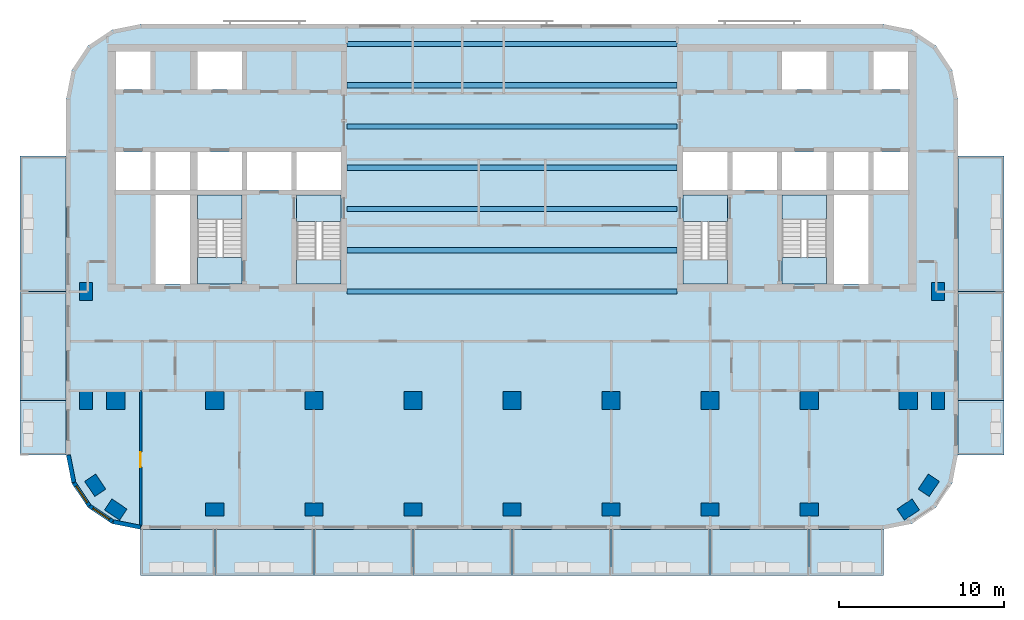
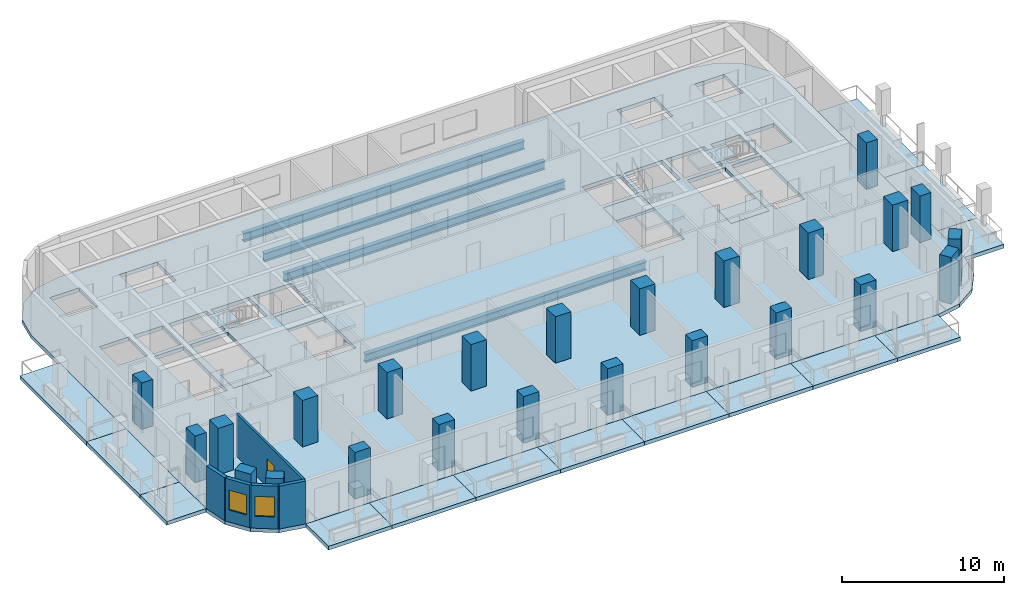
# One storey, part 1 of 11: 24 columns, 23 slabs, 7 beams, 5 walls, 2 windows, 1 door, 3 openings, 4 elements without a shape of their own.
"""IFC4 building model written with IfcOpenShell, lengths in metres."""

from ifc_helpers import new_model, si_unit, direction, frame, frame_2d, origin, origin_2d, place, context, subcontext, project, spatial, polyline, rectangle, i_section, outline, extrude, material, layer, layer_set, material_profile, profile_set, type_object, element, fill, aggregate, save


model = new_model("IFC4")

# Units and contexts
model_context = context("Model", 3, precision=1e-05, world=origin(), true_north=direction((0.0, 1.0)))
body_context = subcontext(model_context, "Body", "Model", "MODEL_VIEW")
ifc_project = project(units=[si_unit("LENGTHUNIT", "METRE"), si_unit("AREAUNIT", "SQUARE_METRE"), si_unit("VOLUMEUNIT", "CUBIC_METRE"), si_unit("PLANEANGLEUNIT", "RADIAN"), si_unit("MASSUNIT", "GRAM", prefix="KILO")], contexts=[model_context])

# Site, building, storey
site_placement = place(None, origin())
site = spatial("IfcSite", under=ifc_project, at=site_placement, CompositionType="ELEMENT")
building_placement = place(site_placement, origin())
building = spatial("IfcBuilding", under=site, at=building_placement, Name="Torana Hotel and Residences", CompositionType="ELEMENT")
storey_placement = place(building_placement, frame((0.0, 0.0, 232.60009765625)))
storey = spatial("IfcBuildingStorey", under=building, at=storey_placement, Name="L61", CompositionType="ELEMENT", Elevation=232.60009765625)

# Columns
ifc_material_1 = material(Name="Concrete C60/75", Category="concrete")
ifc_material_profile_1 = material_profile(ifc_material_1, rectangle(XDim=1.10009765625, YDim=1.10009765625, at=origin_2d()), Name="RC 1100x1100")
ifc_profile_set_1 = profile_set([ifc_material_profile_1], Name="Concrete C60/75")
column_type_1 = type_object("IfcColumnType", Name="COLUMN RC 1100x1100 C60/75", PredefinedType="COLUMN", material=ifc_profile_set_1)
for number, where, z_axis, x_axis, name in (
    (1, (-24.0, -21.60009765625, 0.0), (0.0, 0.0, 1.0), (1.0, 0.0, 0.0), "Column L61"),
    (2, (-18.0, -21.60009765625, 0.0), (0.0, 0.0, 1.0), (1.0, 0.0, 0.0), "Column L61"),
    (3, (-12.0, -21.60009765625, 0.0), (0.0, 0.0, 1.0), (1.0, 0.0, 0.0), "Column L61"),
    (4, (-6.0, -21.60009765625, 0.0), (0.0, 0.0, 1.0), (1.0, 0.0, 0.0), "Column L61"),
    (5, (0.0, -21.60009765625, 0.0), (0.0, 0.0, 1.0), (1.0, 0.0, 0.0), "Column L61"),
    (6, (6.0, -21.60009765625, 0.0), (0.0, 0.0, 1.0), (1.0, 0.0, 0.0), "Column L61"),
    (7, (12.0, -21.60009765625, 0.0), (0.0, 0.0, 1.0), (1.0, 0.0, 0.0), "Column L61"),
    (8, (18.0, -21.60009765625, 0.0), (0.0, 0.0, 1.0), (1.0, 0.0, 0.0), "Column L61"),
    (9, (24.0, -21.60009765625, 0.0), (0.0, 0.0, 1.0), (1.0, 0.0, 0.0), "Column L61"),
):
    element("IfcColumn", number, at=place(storey_placement, frame(where, z_axis=z_axis, x_axis=x_axis)), inside=storey, type_object=column_type_1, Name=name, PredefinedType="COLUMN", context=body_context, shape_type="SweptSolid", body=[
        extrude(rectangle(XDim=1.10009765625, YDim=1.10009765625, at=origin_2d()), origin(), (0.0, 0.0, 1.0), 3.5),
    ])
ifc_material_2 = material(Name="Concrete C60/75", Category="concrete")
ifc_material_profile_2 = material_profile(ifc_material_2, rectangle(XDim=1.10009765625, YDim=0.800048828125, at=origin_2d()), Name="RC 1100x800")
ifc_profile_set_2 = profile_set([ifc_material_profile_2], Name="Concrete C60/75")
column_type_2 = type_object("IfcColumnType", Name="COLUMN RC 1100x800 C60/75", PredefinedType="COLUMN", material=ifc_profile_set_2)
for number, where, z_axis, x_axis, name in (
    (10, (-25.800048828125, -21.60009765625, 0.0), (0.0, 0.0, 1.0), (0.0, 1.0, 0.0), "Column L61"),
    (11, (-25.800048828125, -15.0, 0.0), (0.0, 0.0, 1.0), (0.0, 1.0, 0.0), "Column L61"),
    (12, (-25.243896484375, -26.73291015625, 0.0), (0.0, 0.0, 1.0), (-0.555584744817, 0.831459915646, 0.0), "Column L61"),
    (13, (-24.0, -28.199951171875, 0.0), (0.0, 0.0, 1.0), (-0.831459915646, 0.555584744817, 0.0), "Column L61"),
    (14, (-18.0, -28.199951171875, 0.0), (0.0, 0.0, 1.0), (1.0, 0.0, 0.0), "Column L61"),
    (15, (-12.0, -28.199951171875, 0.0), (0.0, 0.0, 1.0), (1.0, 0.0, 0.0), "Column L61"),
    (16, (-6.0, -28.199951171875, 0.0), (0.0, 0.0, 1.0), (1.0, 0.0, 0.0), "Column L61"),
    (17, (0.0, -28.199951171875, 0.0), (0.0, 0.0, 1.0), (1.0, 0.0, 0.0), "Column L61"),
    (18, (6.0, -28.199951171875, 0.0), (0.0, 0.0, 1.0), (1.0, 0.0, 0.0), "Column L61"),
    (19, (12.0, -28.199951171875, 0.0), (0.0, 0.0, 1.0), (1.0, 0.0, 0.0), "Column L61"),
    (20, (18.0, -28.199951171875, 0.0), (0.0, 0.0, 1.0), (1.0, 0.0, 0.0), "Column L61"),
    (21, (24.0, -28.199951171875, 0.0), (0.0, 0.0, 1.0), (0.831459915646, 0.555584744817, 0.0), "Column L61"),
    (22, (25.243896484375, -26.73291015625, 0.0), (0.0, 0.0, 1.0), (0.555584744817, 0.831459915646, 0.0), "Column L61"),
    (23, (25.800048828125, -21.60009765625, 0.0), (0.0, 0.0, 1.0), (0.0, 1.0, 0.0), "Column L61"),
    (24, (25.800048828125, -15.0, 0.0), (0.0, 0.0, 1.0), (0.0, 1.0, 0.0), "Column L61"),
):
    element("IfcColumn", number, at=place(storey_placement, frame(where, z_axis=z_axis, x_axis=x_axis)), inside=storey, type_object=column_type_2, Name=name, PredefinedType="COLUMN", context=body_context, shape_type="SweptSolid", body=[
        extrude(rectangle(XDim=1.10009765625, YDim=0.800048828125, at=origin_2d()), origin(), (0.0, 0.0, 1.0), 3.5),
    ])

# Beams
ifc_material_3 = material(Name="Steel S355", Category="steel")
ifc_material_profile_3 = material_profile(ifc_material_3, i_section(OverallWidth=0.311279296875, OverallDepth=0.6357421875, WebThickness=0.018310546875, FlangeThickness=0.031494140625, FilletRadius=0.0166015625, at=origin_2d()), Name="610x305x238 UB")
ifc_profile_set_3 = profile_set([ifc_material_profile_3], Name="Steel S355")
beam_type = type_object("IfcBeamType", Name="STEEL GIRDER 610x305x238 UB", PredefinedType="BEAM", material=ifc_profile_set_3)
for number, where, z_axis, x_axis, name in (
    (25, (-10.0, -15.0, -0.597900390625), (1.0, 0.0, 0.0), (0.0, 1.0, 0.0), "Floor girder"),
    (26, (-10.0, -12.5, -0.597900390625), (1.0, 0.0, 0.0), (0.0, 1.0, 0.0), "Floor girder"),
    (27, (-10.0, -10.0, -0.597900390625), (1.0, 0.0, 0.0), (0.0, 1.0, 0.0), "Floor girder"),
    (28, (-10.0, -7.5, -0.597900390625), (1.0, 0.0, 0.0), (0.0, 1.0, 0.0), "Floor girder"),
    (29, (-10.0, -5.0, -0.597900390625), (1.0, 0.0, 0.0), (0.0, 1.0, 0.0), "Floor girder"),
    (30, (-10.0, -2.5, -0.597900390625), (1.0, 0.0, 0.0), (0.0, 1.0, 0.0), "Floor girder"),
    (31, (-10.0, 0.0, -0.597900390625), (1.0, 0.0, 0.0), (0.0, 1.0, 0.0), "Floor girder"),
):
    element("IfcBeam", number, at=place(storey_placement, frame(where, z_axis=z_axis, x_axis=x_axis)), inside=storey, type_object=beam_type, Name=name, PredefinedType="BEAM", context=body_context, shape_type="SweptSolid", body=[
        extrude(i_section(OverallWidth=0.311279296875, OverallDepth=0.6357421875, WebThickness=0.018310546875, FlangeThickness=0.031494140625, FilletRadius=0.0166015625, at=origin_2d()), origin(), (0.0, 0.0, 1.0), 20.0),
    ])

# Slabs
ifc_material_4 = material(Name="Concrete C40/50", Category="concrete")
ifc_layer_1 = layer(ifc_material_4, 0.280029296875)
ifc_layer_set_1 = layer_set([ifc_layer_1], Name="BAL1 BALCONY SLAB 280")
slab_type_1 = type_object("IfcSlabType", Name="BAL1 BALCONY SLAB 280", PredefinedType="USERDEFINED", material=ifc_layer_set_1)
slab_1_placement = place(storey_placement, frame((0.0, 0.0, -0.280029296875)))
element("IfcSlab", 32, at=slab_1_placement, inside=storey, type_object=slab_type_1, Name="Balcony 01", ObjectType="BALCONY", PredefinedType="USERDEFINED", context=body_context, shape_type="SweptSolid", body=[
    extrude(outline(polyline([(-22.5, -32.199951171875), (-18.0, -32.199951171875), (-18.0, -29.39990234375), (-22.5, -29.39990234375), (-22.5, -32.199951171875)])), origin(), (0.0, 0.0, 1.0), 0.280029296875),
])
slab_2_placement = place(storey_placement, frame((0.0, 0.0, -0.280029296875)))
element("IfcSlab", 33, at=slab_2_placement, inside=storey, type_object=slab_type_1, Name="Balcony 02", ObjectType="BALCONY", PredefinedType="USERDEFINED", context=body_context, shape_type="SweptSolid", body=[
    extrude(outline(polyline([(-18.0, -32.199951171875), (-12.0, -32.199951171875), (-12.0, -29.39990234375), (-18.0, -29.39990234375), (-18.0, -32.199951171875)])), origin(), (0.0, 0.0, 1.0), 0.280029296875),
])
slab_3_placement = place(storey_placement, frame((0.0, 0.0, -0.280029296875)))
element("IfcSlab", 34, at=slab_3_placement, inside=storey, type_object=slab_type_1, Name="Balcony 03", ObjectType="BALCONY", PredefinedType="USERDEFINED", context=body_context, shape_type="SweptSolid", body=[
    extrude(outline(polyline([(-12.0, -32.199951171875), (-6.0, -32.199951171875), (-6.0, -29.39990234375), (-12.0, -29.39990234375), (-12.0, -32.199951171875)])), origin(), (0.0, 0.0, 1.0), 0.280029296875),
])
slab_4_placement = place(storey_placement, frame((0.0, 0.0, -0.280029296875)))
element("IfcSlab", 35, at=slab_4_placement, inside=storey, type_object=slab_type_1, Name="Balcony 04", ObjectType="BALCONY", PredefinedType="USERDEFINED", context=body_context, shape_type="SweptSolid", body=[
    extrude(outline(polyline([(-6.0, -32.199951171875), (0.0, -32.199951171875), (0.0, -29.39990234375), (-6.0, -29.39990234375), (-6.0, -32.199951171875)])), origin(), (0.0, 0.0, 1.0), 0.280029296875),
])
slab_5_placement = place(storey_placement, frame((0.0, 0.0, -0.280029296875)))
element("IfcSlab", 36, at=slab_5_placement, inside=storey, type_object=slab_type_1, Name="Balcony 05", ObjectType="BALCONY", PredefinedType="USERDEFINED", context=body_context, shape_type="SweptSolid", body=[
    extrude(outline(polyline([(0.0, -32.199951171875), (6.0, -32.199951171875), (6.0, -29.39990234375), (0.0, -29.39990234375), (0.0, -32.199951171875)])), origin(), (0.0, 0.0, 1.0), 0.280029296875),
])
slab_6_placement = place(storey_placement, frame((0.0, 0.0, -0.280029296875)))
element("IfcSlab", 37, at=slab_6_placement, inside=storey, type_object=slab_type_1, Name="Balcony 06", ObjectType="BALCONY", PredefinedType="USERDEFINED", context=body_context, shape_type="SweptSolid", body=[
    extrude(outline(polyline([(6.0, -32.199951171875), (12.0, -32.199951171875), (12.0, -29.39990234375), (6.0, -29.39990234375), (6.0, -32.199951171875)])), origin(), (0.0, 0.0, 1.0), 0.280029296875),
])
slab_7_placement = place(storey_placement, frame((0.0, 0.0, -0.280029296875)))
element("IfcSlab", 38, at=slab_7_placement, inside=storey, type_object=slab_type_1, Name="Balcony 07", ObjectType="BALCONY", PredefinedType="USERDEFINED", context=body_context, shape_type="SweptSolid", body=[
    extrude(outline(polyline([(12.0, -32.199951171875), (18.0, -32.199951171875), (18.0, -29.39990234375), (12.0, -29.39990234375), (12.0, -32.199951171875)])), origin(), (0.0, 0.0, 1.0), 0.280029296875),
])
slab_8_placement = place(storey_placement, frame((0.0, 0.0, -0.280029296875)))
element("IfcSlab", 39, at=slab_8_placement, inside=storey, type_object=slab_type_1, Name="Balcony 08", ObjectType="BALCONY", PredefinedType="USERDEFINED", context=body_context, shape_type="SweptSolid", body=[
    extrude(outline(polyline([(18.0, -32.199951171875), (22.5, -32.199951171875), (22.5, -29.39990234375), (18.0, -29.39990234375), (18.0, -32.199951171875)])), origin(), (0.0, 0.0, 1.0), 0.280029296875),
])
slab_9_placement = place(storey_placement, frame((0.0, 0.0, -0.280029296875)))
element("IfcSlab", 40, at=slab_9_placement, inside=storey, type_object=slab_type_1, Name="Balcony 09", ObjectType="BALCONY", PredefinedType="USERDEFINED", context=body_context, shape_type="SweptSolid", body=[
    extrude(outline(polyline([(-29.800048828125, -24.89990234375), (-27.0, -24.89990234375), (-27.0, -21.60009765625), (-29.800048828125, -21.60009765625), (-29.800048828125, -24.89990234375)])), origin(), (0.0, 0.0, 1.0), 0.280029296875),
])
slab_10_placement = place(storey_placement, frame((0.0, 0.0, -0.280029296875)))
element("IfcSlab", 41, at=slab_10_placement, inside=storey, type_object=slab_type_1, Name="Balcony 10", ObjectType="BALCONY", PredefinedType="USERDEFINED", context=body_context, shape_type="SweptSolid", body=[
    extrude(outline(polyline([(-29.800048828125, -21.60009765625), (-27.0, -21.60009765625), (-27.0, -15.0), (-29.800048828125, -15.0), (-29.800048828125, -21.60009765625)])), origin(), (0.0, 0.0, 1.0), 0.280029296875),
])
slab_11_placement = place(storey_placement, frame((0.0, 0.0, -0.280029296875)))
element("IfcSlab", 42, at=slab_11_placement, inside=storey, type_object=slab_type_1, Name="Balcony 11", ObjectType="BALCONY", PredefinedType="USERDEFINED", context=body_context, shape_type="SweptSolid", body=[
    extrude(outline(polyline([(-29.800048828125, -15.0), (-27.0, -15.0), (-27.0, -6.800048828125), (-29.800048828125, -6.800048828125), (-29.800048828125, -15.0)])), origin(), (0.0, 0.0, 1.0), 0.280029296875),
])
slab_12_placement = place(storey_placement, frame((0.0, 0.0, -0.280029296875)))
element("IfcSlab", 43, at=slab_12_placement, inside=storey, type_object=slab_type_1, Name="Balcony 12", ObjectType="BALCONY", PredefinedType="USERDEFINED", context=body_context, shape_type="SweptSolid", body=[
    extrude(outline(polyline([(27.0, -24.89990234375), (29.800048828125, -24.89990234375), (29.800048828125, -21.60009765625), (27.0, -21.60009765625), (27.0, -24.89990234375)])), origin(), (0.0, 0.0, 1.0), 0.280029296875),
])
slab_13_placement = place(storey_placement, frame((0.0, 0.0, -0.280029296875)))
element("IfcSlab", 44, at=slab_13_placement, inside=storey, type_object=slab_type_1, Name="Balcony 13", ObjectType="BALCONY", PredefinedType="USERDEFINED", context=body_context, shape_type="SweptSolid", body=[
    extrude(outline(polyline([(27.0, -21.60009765625), (29.800048828125, -21.60009765625), (29.800048828125, -15.0), (27.0, -15.0), (27.0, -21.60009765625)])), origin(), (0.0, 0.0, 1.0), 0.280029296875),
])
slab_14_placement = place(storey_placement, frame((0.0, 0.0, -0.280029296875)))
element("IfcSlab", 45, at=slab_14_placement, inside=storey, type_object=slab_type_1, Name="Balcony 14", ObjectType="BALCONY", PredefinedType="USERDEFINED", context=body_context, shape_type="SweptSolid", body=[
    extrude(outline(polyline([(27.0, -15.0), (29.800048828125, -15.0), (29.800048828125, -6.800048828125), (27.0, -6.800048828125), (27.0, -15.0)])), origin(), (0.0, 0.0, 1.0), 0.280029296875),
])
ifc_material_5 = material(Name="Concrete C40/50", Category="concrete")
ifc_layer_2 = layer(ifc_material_5, 0.280029296875)
ifc_layer_set_2 = layer_set([ifc_layer_2], Name="FLOOR SLAB PT 280")
slab_type_2 = type_object("IfcSlabType", Name="FLOOR SLAB PT 280", PredefinedType="FLOOR", material=ifc_layer_set_2)
slab_15_placement = place(storey_placement, frame((0.0, 0.0, -0.280029296875)))
element("IfcSlab", 46, at=slab_15_placement, inside=storey, type_object=slab_type_2, Name="Floor slab", PredefinedType="FLOOR", context=body_context, shape_type="SweptSolid", body=[
    extrude(outline(polyline([(27.0, -3.300048828125), (26.657470703125, -1.577880859375), (25.681884765625, -0.117919921875), (24.22216796875, 0.857421875), (22.5, 1.199951171875), (-22.5, 1.199951171875), (-24.22216796875, 0.857421875), (-25.681884765625, -0.117919921875), (-26.657470703125, -1.577880859375), (-27.0, -3.300048828125), (-27.0, -24.89990234375), (-26.657470703125, -26.6220703125), (-25.681884765625, -28.08203125), (-24.22216796875, -29.0576171875), (-22.5, -29.39990234375), (22.5, -29.39990234375), (24.22216796875, -29.0576171875), (25.681884765625, -28.08203125), (26.657470703125, -26.6220703125), (27.0, -24.89990234375), (27.0, -3.300048828125)]), holes=[polyline([(-13.050048828125, -14.550048828125), (-10.35009765625, -14.550048828125), (-10.35009765625, -9.14990234375), (-13.050048828125, -9.14990234375), (-13.050048828125, -14.550048828125)]), polyline([(-19.050048828125, -14.550048828125), (-16.35009765625, -14.550048828125), (-16.35009765625, -9.14990234375), (-19.050048828125, -9.14990234375), (-19.050048828125, -14.550048828125)]), polyline([(-19.050048828125, -2.75), (-16.35009765625, -2.75), (-16.35009765625, -0.449951171875), (-19.050048828125, -0.449951171875), (-19.050048828125, -2.75)]), polyline([(-21.60009765625, -8.85009765625), (-19.5, -8.85009765625), (-19.5, -6.550048828125), (-21.60009765625, -6.550048828125), (-21.60009765625, -8.85009765625)]), polyline([(-24.0, -2.75), (-21.89990234375, -2.75), (-21.89990234375, -0.449951171875), (-24.0, -0.449951171875), (-24.0, -2.75)]), polyline([(-24.0, -8.85009765625), (-21.89990234375, -8.85009765625), (-21.89990234375, -6.550048828125), (-24.0, -6.550048828125), (-24.0, -8.85009765625)]), polyline([(-13.050048828125, -8.85009765625), (-10.35009765625, -8.85009765625), (-10.35009765625, -6.550048828125), (-13.050048828125, -6.550048828125), (-13.050048828125, -8.85009765625)]), polyline([(-16.050048828125, -8.85009765625), (-13.35009765625, -8.85009765625), (-13.35009765625, -6.550048828125), (-16.050048828125, -6.550048828125), (-16.050048828125, -8.85009765625)]), polyline([(-19.050048828125, -8.85009765625), (-16.35009765625, -8.85009765625), (-16.35009765625, -6.550048828125), (-19.050048828125, -6.550048828125), (-19.050048828125, -8.85009765625)]), polyline([(-21.60009765625, -14.550048828125), (-19.5, -14.550048828125), (-19.5, -9.14990234375), (-21.60009765625, -9.14990234375), (-21.60009765625, -14.550048828125)]), polyline([(10.35009765625, -14.550048828125), (13.050048828125, -14.550048828125), (13.050048828125, -9.14990234375), (10.35009765625, -9.14990234375), (10.35009765625, -14.550048828125)]), polyline([(16.35009765625, -14.550048828125), (19.050048828125, -14.550048828125), (19.050048828125, -9.14990234375), (16.35009765625, -9.14990234375), (16.35009765625, -14.550048828125)]), polyline([(16.35009765625, -2.75), (19.050048828125, -2.75), (19.050048828125, -0.449951171875), (16.35009765625, -0.449951171875), (16.35009765625, -2.75)]), polyline([(19.5, -8.85009765625), (21.60009765625, -8.85009765625), (21.60009765625, -6.550048828125), (19.5, -6.550048828125), (19.5, -8.85009765625)]), polyline([(21.89990234375, -2.75), (24.0, -2.75), (24.0, -0.449951171875), (21.89990234375, -0.449951171875), (21.89990234375, -2.75)]), polyline([(21.89990234375, -8.85009765625), (24.0, -8.85009765625), (24.0, -6.550048828125), (21.89990234375, -6.550048828125), (21.89990234375, -8.85009765625)]), polyline([(10.35009765625, -8.85009765625), (13.050048828125, -8.85009765625), (13.050048828125, -6.550048828125), (10.35009765625, -6.550048828125), (10.35009765625, -8.85009765625)]), polyline([(13.35009765625, -8.85009765625), (16.050048828125, -8.85009765625), (16.050048828125, -6.550048828125), (13.35009765625, -6.550048828125), (13.35009765625, -8.85009765625)]), polyline([(16.35009765625, -8.85009765625), (19.050048828125, -8.85009765625), (19.050048828125, -6.550048828125), (16.35009765625, -6.550048828125), (16.35009765625, -8.85009765625)]), polyline([(19.5, -14.550048828125), (21.60009765625, -14.550048828125), (21.60009765625, -9.14990234375), (19.5, -9.14990234375), (19.5, -14.550048828125)])]), origin(), (0.0, 0.0, 1.0), 0.280029296875),
])

# Stair, slabs
ifc_material_6 = material(Name="Concrete C40/50 precast", Category="concrete")
stair_type_1 = type_object("IfcStairType", Name="STAIR ST1 HALF TURN 1200", PredefinedType="HALF_TURN_STAIR", material=ifc_material_6)
stair_1_placement = place(storey_placement, origin())
stair_1 = element("IfcStair", 47, at=stair_1_placement, inside=storey, type_object=stair_type_1, Name="Stair ST1 L61", PredefinedType="HALF_TURN_STAIR")
ifc_material_7 = material(Name="Concrete C40/50 precast", Category="concrete")
ifc_layer_3 = layer(ifc_material_7, 0.199951171875)
ifc_layer_set_3 = layer_set([ifc_layer_3], Name="STAIR LANDING 200")
slab_type_3 = type_object("IfcSlabType", Name="STAIR LANDING 200", PredefinedType="LANDING", material=ifc_layer_set_3)
slab_16_placement = place(storey_placement, frame((0.0, 0.0, 1.5498046875)))
slab_16 = element("IfcSlab", 48, at=slab_16_placement, type_object=slab_type_3, Name="ST1 landing 1", PredefinedType="LANDING", context=body_context, shape_type="SweptSolid", body=[
    extrude(outline(polyline([(-13.050048828125, -14.550048828125), (-10.35009765625, -14.550048828125), (-10.35009765625, -13.090087890625), (-13.050048828125, -13.090087890625), (-13.050048828125, -14.550048828125)])), origin(), (0.0, 0.0, 1.0), 0.2001953125),
])
slab_17_placement = place(storey_placement, frame((0.0, 0.0, -0.2001953125)))
slab_17 = element("IfcSlab", 49, at=slab_17_placement, type_object=slab_type_3, Name="ST1 landing 2", PredefinedType="LANDING", context=body_context, shape_type="SweptSolid", body=[
    extrude(outline(polyline([(-13.050048828125, -10.75), (-10.35009765625, -10.75), (-10.35009765625, -9.14990234375), (-13.050048828125, -9.14990234375), (-13.050048828125, -10.75)])), origin(), (0.0, 0.0, 1.0), 0.2001953125),
])
aggregate(stair_1, [slab_16, slab_17])

ifc_material_8 = material(Name="Concrete C40/50 precast", Category="concrete")
stair_type_2 = type_object("IfcStairType", Name="STAIR ST2 HALF TURN 1200", PredefinedType="HALF_TURN_STAIR", material=ifc_material_8)
stair_2_placement = place(storey_placement, origin())
stair_2 = element("IfcStair", 50, at=stair_2_placement, inside=storey, type_object=stair_type_2, Name="Stair ST2 L61", PredefinedType="HALF_TURN_STAIR")
slab_18_placement = place(storey_placement, frame((0.0, 0.0, 1.5498046875)))
slab_18 = element("IfcSlab", 51, at=slab_18_placement, type_object=slab_type_3, Name="ST2 landing 1", PredefinedType="LANDING", context=body_context, shape_type="SweptSolid", body=[
    extrude(outline(polyline([(-19.050048828125, -10.610107421875), (-16.35009765625, -10.610107421875), (-16.35009765625, -9.14990234375), (-19.050048828125, -9.14990234375), (-19.050048828125, -10.610107421875)])), origin(), (0.0, 0.0, 1.0), 0.2001953125),
])
slab_19_placement = place(storey_placement, frame((0.0, 0.0, -0.2001953125)))
slab_19 = element("IfcSlab", 52, at=slab_19_placement, type_object=slab_type_3, Name="ST2 landing 2", PredefinedType="LANDING", context=body_context, shape_type="SweptSolid", body=[
    extrude(outline(polyline([(-19.050048828125, -14.550048828125), (-16.35009765625, -14.550048828125), (-16.35009765625, -12.949951171875), (-19.050048828125, -12.949951171875), (-19.050048828125, -14.550048828125)])), origin(), (0.0, 0.0, 1.0), 0.2001953125),
])
aggregate(stair_2, [slab_18, slab_19])

ifc_material_9 = material(Name="Concrete C40/50 precast", Category="concrete")
stair_type_3 = type_object("IfcStairType", Name="STAIR ST3 HALF TURN 1200", PredefinedType="HALF_TURN_STAIR", material=ifc_material_9)
stair_3_placement = place(storey_placement, origin())
stair_3 = element("IfcStair", 53, at=stair_3_placement, inside=storey, type_object=stair_type_3, Name="Stair ST3 L61", PredefinedType="HALF_TURN_STAIR")
slab_20_placement = place(storey_placement, frame((0.0, 0.0, 1.5498046875)))
slab_20 = element("IfcSlab", 54, at=slab_20_placement, type_object=slab_type_3, Name="ST3 landing 1", PredefinedType="LANDING", context=body_context, shape_type="SweptSolid", body=[
    extrude(outline(polyline([(10.35009765625, -14.550048828125), (13.050048828125, -14.550048828125), (13.050048828125, -13.090087890625), (10.35009765625, -13.090087890625), (10.35009765625, -14.550048828125)])), origin(), (0.0, 0.0, 1.0), 0.2001953125),
])
slab_21_placement = place(storey_placement, frame((0.0, 0.0, -0.2001953125)))
slab_21 = element("IfcSlab", 55, at=slab_21_placement, type_object=slab_type_3, Name="ST3 landing 2", PredefinedType="LANDING", context=body_context, shape_type="SweptSolid", body=[
    extrude(outline(polyline([(10.35009765625, -10.75), (13.050048828125, -10.75), (13.050048828125, -9.14990234375), (10.35009765625, -9.14990234375), (10.35009765625, -10.75)])), origin(), (0.0, 0.0, 1.0), 0.2001953125),
])
aggregate(stair_3, [slab_20, slab_21])

ifc_material_10 = material(Name="Concrete C40/50 precast", Category="concrete")
stair_type_4 = type_object("IfcStairType", Name="STAIR ST4 HALF TURN 1200", PredefinedType="HALF_TURN_STAIR", material=ifc_material_10)
stair_4_placement = place(storey_placement, origin())
stair_4 = element("IfcStair", 56, at=stair_4_placement, inside=storey, type_object=stair_type_4, Name="Stair ST4 L61", PredefinedType="HALF_TURN_STAIR")
slab_22_placement = place(storey_placement, frame((0.0, 0.0, 1.5498046875)))
slab_22 = element("IfcSlab", 57, at=slab_22_placement, type_object=slab_type_3, Name="ST4 landing 1", PredefinedType="LANDING", context=body_context, shape_type="SweptSolid", body=[
    extrude(outline(polyline([(16.35009765625, -10.610107421875), (19.050048828125, -10.610107421875), (19.050048828125, -9.14990234375), (16.35009765625, -9.14990234375), (16.35009765625, -10.610107421875)])), origin(), (0.0, 0.0, 1.0), 0.2001953125),
])
slab_23_placement = place(storey_placement, frame((0.0, 0.0, -0.2001953125)))
slab_23 = element("IfcSlab", 58, at=slab_23_placement, type_object=slab_type_3, Name="ST4 landing 2", PredefinedType="LANDING", context=body_context, shape_type="SweptSolid", body=[
    extrude(outline(polyline([(16.35009765625, -14.550048828125), (19.050048828125, -14.550048828125), (19.050048828125, -12.949951171875), (16.35009765625, -12.949951171875), (16.35009765625, -14.550048828125)])), origin(), (0.0, 0.0, 1.0), 0.2001953125),
])
aggregate(stair_4, [slab_22, slab_23])

# Wall
ifc_material_11 = material(Name="Black aluminium composite panel", Category="aluminium")
ifc_layer_4 = layer(ifc_material_11, 0.00390625, Name="Cladding", Category="cladding")
ifc_material_12 = material(Name="Ventilated air cavity")
ifc_layer_5 = layer(ifc_material_12, 0.0400390625, Name="Ventilated cavity", Category="cavity")
ifc_material_13 = material(Name="Mineral wool insulation")
ifc_layer_6 = layer(ifc_material_13, 0.090087890625, Name="Insulation", Category="insulation")
ifc_material_14 = material(Name="Steel S280GD", Category="steel")
ifc_layer_7 = layer(ifc_material_14, 0.092041015625, Name="Steel stud frame", Category="structure")
ifc_material_15 = material(Name="Fire rated plasterboard")
ifc_layer_8 = layer(ifc_material_15, 0.011962890625, Name="Inner board", Category="finish")
ifc_layer_9 = layer(ifc_material_15, 0.011962890625, Name="Second board", Category="finish")
ifc_layer_set_4 = layer_set([ifc_layer_4, ifc_layer_5, ifc_layer_6, ifc_layer_7, ifc_layer_8, ifc_layer_9], Name="EW1 EXTERNAL WALL BLACK METAL CLAD 250")
wall_type_1 = type_object("IfcWallType", Name="EW1 EXTERNAL WALL BLACK METAL CLAD 250", PredefinedType="SOLIDWALL", material=ifc_layer_set_4)
wall_1_placement = place(storey_placement, frame((-26.87255859375, -24.89990234375, 0.0), z_axis=(0.0, 0.0, 1.0), x_axis=(0.195026884138, -0.980797896849, 0.0)))
element("IfcWall", 59, at=wall_1_placement, inside=storey, type_object=wall_type_1, Name="External wall L61 e0.10", PredefinedType="SOLIDWALL", context=body_context, shape_type="SweptSolid", body=[
    extrude(rectangle(XDim=1.68115234375, YDim=0.25, at=frame_2d((0.840576171875, 0.0))), origin(), (0.0, 0.0, 1.0), 3.219970703125),
])

# Wall, opening, window
wall_2_placement = place(storey_placement, frame((-26.52587890625, -26.593994140625, 0.0), z_axis=(0.0, 0.0, 1.0), x_axis=(0.55555029066, -0.831482937015, 0.0)))
wall_2 = element("IfcWall", 60, at=wall_2_placement, inside=storey, type_object=wall_type_1, Name="External wall L61 e0.11", PredefinedType="SOLIDWALL", context=body_context, shape_type="SweptSolid", body=[
    extrude(rectangle(XDim=1.65625, YDim=0.25, at=frame_2d((0.828125, 0.0))), origin(), (0.0, 0.0, 1.0), 3.219970703125),
])
opening_1_placement = place(wall_2_placement, frame((0.228271484375, 0.0, 0.89990234375)))
opening_1 = element("IfcOpeningElement", 61, at=opening_1_placement, cuts=wall_2, Name="Opening W5", PredefinedType="OPENING", context=body_context, shape_type="SweptSolid", body=[
    extrude(rectangle(XDim=1.199951171875, YDim=1.5, at=frame_2d((0.60009765625, 0.75))), frame((0.0, 0.135009765625, 0.0), z_axis=(0.0, -1.0, 0.0), x_axis=(1.0, 0.0, 0.0)), (0.0, 0.0, 1.0), 0.27001953125),
])
ifc_material_16 = material(Name="Dark glass in black aluminium frame", Category="aluminium")
window_type = type_object("IfcWindowType", Name="W5 CORNER FACET WINDOW 1200x1500", PartitioningType="SINGLE_PANEL", PredefinedType="WINDOW", material=ifc_material_16)
window_1_placement = place(opening_1_placement, origin())
window_1 = element("IfcWindow", 62, at=window_1_placement, inside=storey, type_object=window_type, Name="Window L61 e0.11", OverallHeight=1.5, OverallWidth=1.199951171875, PartitioningType="SINGLE_PANEL", PredefinedType="WINDOW", context=body_context, shape_type="SweptSolid", body=[
    extrude(rectangle(XDim=1.199951171875, YDim=1.5, at=frame_2d((0.60009765625, 0.75))), frame((0.0, 0.030029296875, 0.0), z_axis=(0.0, -1.0, 0.0), x_axis=(1.0, 0.0, 0.0)), (0.0, 0.0, 1.0), 0.06005859375),
])
fill(opening_1, window_1)

wall_3_placement = place(storey_placement, frame((-25.5712890625, -28.005615234375, 0.0), z_axis=(0.0, 0.0, 1.0), x_axis=(0.831482937015, -0.55555029066, 0.0)))
wall_3 = element("IfcWall", 63, at=wall_3_placement, inside=storey, type_object=wall_type_1, Name="External wall L61 e0.12", PredefinedType="SOLIDWALL", context=body_context, shape_type="SweptSolid", body=[
    extrude(rectangle(XDim=1.65625, YDim=0.25, at=frame_2d((0.828125, 0.0))), origin(), (0.0, 0.0, 1.0), 3.219970703125),
])
opening_2_placement = place(wall_3_placement, frame((0.228271484375, 0.0, 0.89990234375)))
opening_2 = element("IfcOpeningElement", 64, at=opening_2_placement, cuts=wall_3, Name="Opening W5", PredefinedType="OPENING", context=body_context, shape_type="SweptSolid", body=[
    extrude(rectangle(XDim=1.199951171875, YDim=1.5, at=frame_2d((0.60009765625, 0.75))), frame((0.0, 0.135009765625, 0.0), z_axis=(0.0, -1.0, 0.0), x_axis=(1.0, 0.0, 0.0)), (0.0, 0.0, 1.0), 0.27001953125),
])
window_2_placement = place(opening_2_placement, origin())
window_2 = element("IfcWindow", 65, at=window_2_placement, inside=storey, type_object=window_type, Name="Window L61 e0.12", OverallHeight=1.5, OverallWidth=1.199951171875, PartitioningType="SINGLE_PANEL", PredefinedType="WINDOW", context=body_context, shape_type="SweptSolid", body=[
    extrude(rectangle(XDim=1.199951171875, YDim=1.5, at=frame_2d((0.60009765625, 0.75))), frame((0.0, 0.030029296875, 0.0), z_axis=(0.0, -1.0, 0.0), x_axis=(1.0, 0.0, 0.0)), (0.0, 0.0, 1.0), 0.06005859375),
])
fill(opening_2, window_2)

# Wall
wall_4_placement = place(storey_placement, frame((-24.14892578125, -28.944580078125, 0.0), z_axis=(0.0, 0.0, 1.0), x_axis=(0.980775640221, -0.19513878023, 0.0)))
element("IfcWall", 66, at=wall_4_placement, inside=storey, type_object=wall_type_1, Name="External wall L61 e0.13", PredefinedType="SOLIDWALL", context=body_context, shape_type="SweptSolid", body=[
    extrude(rectangle(XDim=1.681396484375, YDim=0.25, at=frame_2d((0.8408203125, 0.0))), origin(), (0.0, 0.0, 1.0), 3.219970703125),
])

# Wall, opening, door
ifc_material_17 = material(Name="Gypsum plasterboard")
ifc_layer_10 = layer(ifc_material_17, 0.012451171875, Name="Plasterboard", Category="finish")
ifc_layer_11 = layer(ifc_material_17, 0.012451171875, Name="Plasterboard", Category="finish")
ifc_layer_12 = layer(ifc_material_14, 0.10009765625, Name="Steel studs with mineral wool", Category="insulation")
ifc_layer_13 = layer(ifc_material_17, 0.012451171875, Name="Plasterboard", Category="finish")
ifc_layer_14 = layer(ifc_material_17, 0.012451171875, Name="Plasterboard", Category="finish")
ifc_layer_set_5 = layer_set([ifc_layer_10, ifc_layer_11, ifc_layer_12, ifc_layer_13, ifc_layer_14], Name="PARTITION 150 PLASTERBOARD")
wall_type_2 = type_object("IfcWallType", Name="PARTITION 150 PLASTERBOARD", PredefinedType="PARTITIONING", material=ifc_layer_set_5)
wall_5_placement = place(storey_placement, frame((-22.5, -29.216552734375, 0.0), z_axis=(0.0, 0.0, 1.0), x_axis=(0.0, 1.0, 0.0)))
wall_5 = element("IfcWall", 67, at=wall_5_placement, inside=storey, type_object=wall_type_2, Name="Partition L61", PredefinedType="PARTITIONING", context=body_context, shape_type="SweptSolid", body=[
    extrude(rectangle(XDim=8.216552734375, YDim=0.14990234375, at=frame_2d((4.1083984375, 0.0))), origin(), (0.0, 0.0, 1.0), 3.219970703125),
])
opening_3_placement = place(wall_5_placement, frame((3.58642578125, 0.0, 0.0)))
opening_3 = element("IfcOpeningElement", 68, at=opening_3_placement, cuts=wall_5, Name="Opening L61-53", PredefinedType="OPENING", context=body_context, shape_type="SweptSolid", body=[
    extrude(rectangle(XDim=0.89990234375, YDim=2.10009765625, at=frame_2d((0.449951171875, 1.050048828125))), frame((0.0, 0.0849609375, 0.0), z_axis=(0.0, -1.0, 0.0), x_axis=(1.0, 0.0, 0.0)), (0.0, 0.0, 1.0), 0.169921875),
])
ifc_material_18 = material(Name="Timber door, oiled ash", Category="wood")
door_type = type_object("IfcDoorType", Name="ROOM DOOR D7 900x2100", OperationType="SINGLE_SWING_LEFT", PredefinedType="DOOR", material=ifc_material_18)
door_placement = place(opening_3_placement, origin())
door = element("IfcDoor", 69, at=door_placement, inside=storey, type_object=door_type, Name="Door L61", OperationType="SINGLE_SWING_RIGHT", OverallHeight=2.10009765625, OverallWidth=0.89990234375, PredefinedType="DOOR", context=body_context, shape_type="SweptSolid", body=[
    extrude(rectangle(XDim=0.89990234375, YDim=2.10009765625, at=frame_2d((0.449951171875, 1.050048828125))), frame((0.0, 0.02490234375, 0.0), z_axis=(0.0, -1.0, 0.0), x_axis=(1.0, 0.0, 0.0)), (0.0, 0.0, 1.0), 0.050048828125),
])
fill(opening_3, door)

save(model, "model.ifc")
